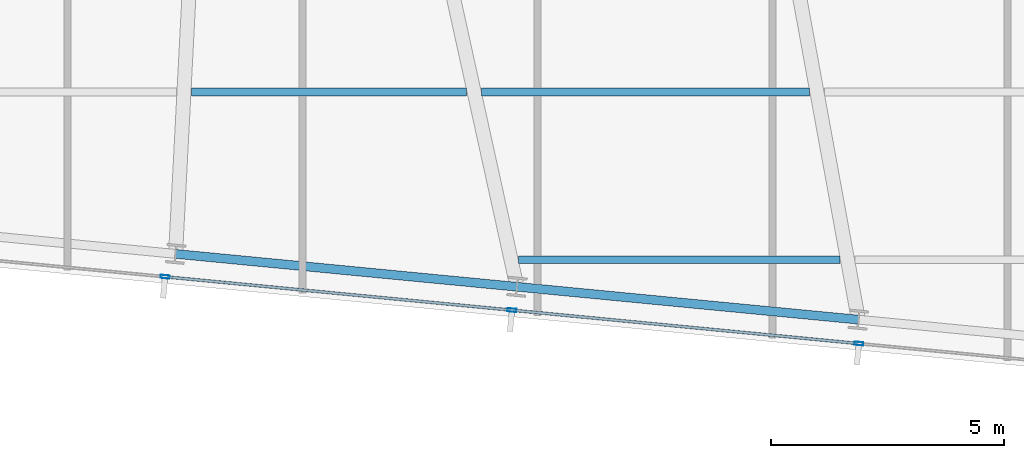
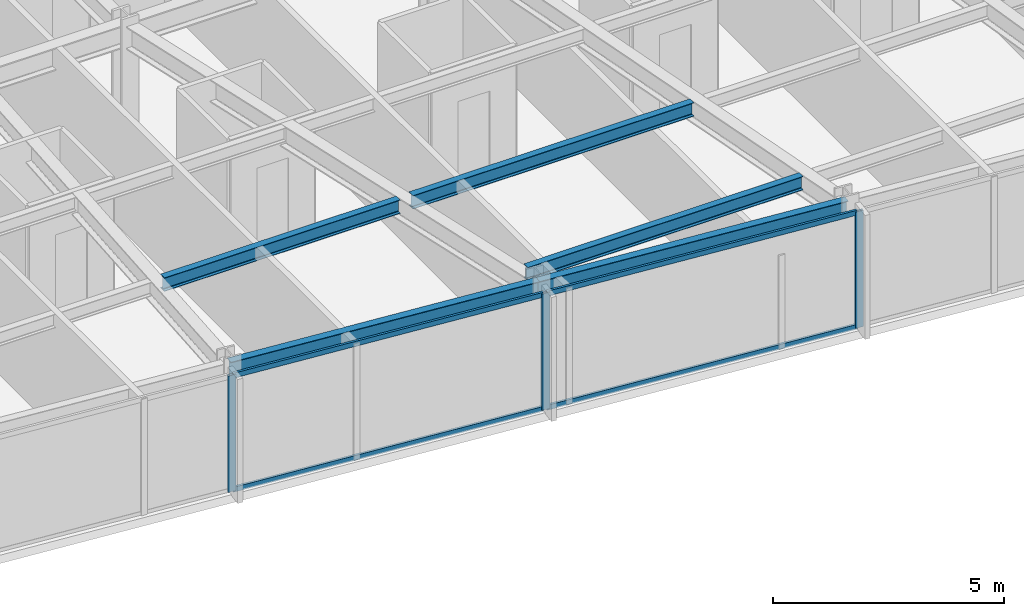
# One storey, part 6 of 37: 7 members, 5 beams, 1 element without a shape of its own.
"""IFC4 building model written with IfcOpenShell, lengths in metres."""

from ifc_helpers import new_model, si_unit, direction, frame, origin, origin_2d, place, context, subcontext, project, spatial, hollow_rectangle, i_section, extrude, material, material_profile, profile_set, type_object, element, aggregate, save


model = new_model("IFC4")

# Units and contexts
model_context = context("Model", 3, precision=1e-05, world=origin(), true_north=direction((0.0, 1.0)))
body_context = subcontext(model_context, "Body", "Model", "MODEL_VIEW")
ifc_project = project(units=[si_unit("LENGTHUNIT", "METRE"), si_unit("AREAUNIT", "SQUARE_METRE"), si_unit("VOLUMEUNIT", "CUBIC_METRE"), si_unit("PLANEANGLEUNIT", "RADIAN"), si_unit("MASSUNIT", "GRAM", prefix="KILO")], contexts=[model_context])

# Site, building, storey
site_placement = place(None, origin())
site = spatial("IfcSite", under=ifc_project, at=site_placement, CompositionType="ELEMENT")
building_placement = place(site_placement, origin())
building = spatial("IfcBuilding", under=site, at=building_placement, Name="Yelkora Congress Tower", CompositionType="ELEMENT")
storey_placement = place(building_placement, frame((0.0, 0.0, 182.0)))
storey = spatial("IfcBuildingStorey", under=building, at=storey_placement, Name="L50", CompositionType="ELEMENT", Elevation=182.0)

# Beams
ifc_material_1 = material(Name="Steel S355J2", Category="steel")
ifc_material_profile_1 = material_profile(ifc_material_1, i_section(OverallWidth=0.169921875, OverallDepth=0.360107421875, WebThickness=0.008056640625, FlangeThickness=0.0126953125, FilletRadius=0.01806640625, at=origin_2d()), Name="IPE 360")
ifc_profile_set_1 = profile_set([ifc_material_profile_1], Name="Steel S355J2")
beam_type_1 = type_object("IfcBeamType", Name="BM-JOIST-IPE360", PredefinedType="JOIST", material=ifc_profile_set_1)
beam_1_placement = place(storey_placement, frame((25.921630859375, 12.8212890625, 2.89990234375), z_axis=(1.0, 0.0, 0.0), x_axis=(0.0, 1.0, 0.0)))
element("IfcBeam", 1, at=beam_1_placement, inside=storey, type_object=beam_type_1, Name="L50 Composite Floor Joist 1", PredefinedType="JOIST", context=body_context, shape_type="SweptSolid", body=[
    extrude(i_section(OverallWidth=0.169921875, OverallDepth=0.360107421875, WebThickness=0.008056640625, FlangeThickness=0.0126953125, FilletRadius=0.01806640625, at=origin_2d()), origin(), (0.0, 0.0, 1.0), 6.896484375),
])
beam_2_placement = place(storey_placement, frame((18.905517578125, 16.421142578125, 2.89990234375), z_axis=(1.0, 0.0, 0.0), x_axis=(0.0, 1.0, 0.0)))
element("IfcBeam", 2, at=beam_2_placement, inside=storey, type_object=beam_type_1, Name="L50 Composite Floor Joist 7", PredefinedType="JOIST", context=body_context, shape_type="SweptSolid", body=[
    extrude(i_section(OverallWidth=0.169921875, OverallDepth=0.360107421875, WebThickness=0.008056640625, FlangeThickness=0.0126953125, FilletRadius=0.01806640625, at=origin_2d()), origin(), (0.0, 0.0, 1.0), 5.904541015625),
])
beam_3_placement = place(storey_placement, frame((25.130126953125, 16.421142578125, 2.89990234375), z_axis=(1.0, 0.0, 0.0), x_axis=(0.0, 1.0, 0.0)))
element("IfcBeam", 3, at=beam_3_placement, inside=storey, type_object=beam_type_1, Name="L50 Composite Floor Joist 8", PredefinedType="JOIST", context=body_context, shape_type="SweptSolid", body=[
    extrude(i_section(OverallWidth=0.169921875, OverallDepth=0.360107421875, WebThickness=0.008056640625, FlangeThickness=0.0126953125, FilletRadius=0.01806640625, at=origin_2d()), origin(), (0.0, 0.0, 1.0), 7.03125),
])
ifc_material_profile_2 = material_profile(ifc_material_1, i_section(OverallWidth=0.18994140625, OverallDepth=0.449951171875, WebThickness=0.009521484375, FlangeThickness=0.0146484375, FilletRadius=0.02099609375, at=origin_2d()), Name="IPE 450")
ifc_profile_set_2 = profile_set([ifc_material_profile_2], Name="Steel S355J2")
beam_type_2 = type_object("IfcBeamType", Name="BM-SPAN-IPE450", PredefinedType="SPANDREL", material=ifc_profile_set_2)
beam_4_placement = place(storey_placement, frame((18.56591796875, 12.947021484375, 2.85498046875), z_axis=(0.99539363353, -0.09587238564, 0.0), x_axis=(0.09587238564, 0.99539363353, 0.0)))
element("IfcBeam", 4, at=beam_4_placement, inside=storey, type_object=beam_type_2, Name="L50 Perimeter Beam 4", PredefinedType="SPANDREL", context=body_context, shape_type="SweptSolid", body=[
    extrude(i_section(OverallWidth=0.18994140625, OverallDepth=0.449951171875, WebThickness=0.009521484375, FlangeThickness=0.0146484375, FilletRadius=0.02099609375, at=origin_2d()), origin(), (0.0, 0.0, 1.0), 7.35693359375),
])
beam_5_placement = place(storey_placement, frame((25.888916015625, 12.24169921875, 2.85498046875), z_axis=(0.995397409467, -0.095833173935, 0.0), x_axis=(0.095833173935, 0.995397409467, 0.0)))
element("IfcBeam", 5, at=beam_5_placement, inside=storey, type_object=beam_type_2, Name="L50 Perimeter Beam 5", PredefinedType="SPANDREL", context=body_context, shape_type="SweptSolid", body=[
    extrude(i_section(OverallWidth=0.18994140625, OverallDepth=0.449951171875, WebThickness=0.009521484375, FlangeThickness=0.0146484375, FilletRadius=0.02099609375, at=origin_2d()), origin(), (0.0, 0.0, 1.0), 7.357421875),
])

# Curtain wall, members
ifc_material_2 = material(Name="Anodised aluminium and insulated glass", Category="aluminium")
curtain_wall_type = type_object("IfcCurtainWallType", Name="CW-SYS-B3", PredefinedType="NOTDEFINED", material=ifc_material_2)
curtain_wall_placement = place(storey_placement, origin())
curtain_wall = element("IfcCurtainWall", 6, at=curtain_wall_placement, inside=storey, type_object=curtain_wall_type, Name="L50 Unitised Curtain Wall 20", PredefinedType="NOTDEFINED")
ifc_material_3 = material(Name="Anodised aluminium 6063-T6", Category="aluminium")
ifc_material_profile_3 = material_profile(ifc_material_3, hollow_rectangle(XDim=0.070068359375, YDim=0.18994140625, WallThickness=0.00390625, at=origin_2d()), Name="ALU 70x190x4")
ifc_profile_set_3 = profile_set([ifc_material_profile_3], Name="Anodised aluminium 6063-T6")
member_type_1 = type_object("IfcMemberType", Name="MEM-ML-B3", PredefinedType="MULLION", material=ifc_profile_set_3)
member_1_placement = place(storey_placement, frame((33.2216796875, 11.0234375, 0.0), z_axis=(0.0, 0.0, 1.0), x_axis=(-0.095844680679, -0.995396301573, 0.0)))
member_1 = element("IfcMember", 7, at=member_1_placement, type_object=member_type_1, Name="CW-B3 mullion 4", PredefinedType="MULLION", context=body_context, shape_type="SweptSolid", body=[
    extrude(hollow_rectangle(XDim=0.070068359375, YDim=0.18994140625, WallThickness=0.00390625, at=origin_2d()), origin(), (0.0, 0.0, 1.0), 3.080078125),
])
member_2_placement = place(storey_placement, frame((25.78173828125, 11.73974609375, 0.0), z_axis=(0.0, 0.0, 1.0), x_axis=(-0.095844680679, -0.995396301573, 0.0)))
member_2 = element("IfcMember", 8, at=member_2_placement, type_object=member_type_1, Name="CW-B3 mullion 5", PredefinedType="MULLION", context=body_context, shape_type="SweptSolid", body=[
    extrude(hollow_rectangle(XDim=0.070068359375, YDim=0.18994140625, WallThickness=0.00390625, at=origin_2d()), origin(), (0.0, 0.0, 1.0), 3.080078125),
])
member_3_placement = place(storey_placement, frame((18.342041015625, 12.4560546875, 0.0), z_axis=(0.0, 0.0, 1.0), x_axis=(-0.095844680679, -0.995396301573, 0.0)))
member_3 = element("IfcMember", 9, at=member_3_placement, type_object=member_type_1, Name="CW-B3 mullion 6", PredefinedType="MULLION", context=body_context, shape_type="SweptSolid", body=[
    extrude(hollow_rectangle(XDim=0.070068359375, YDim=0.18994140625, WallThickness=0.00390625, at=origin_2d()), origin(), (0.0, 0.0, 1.0), 3.080078125),
])
ifc_material_profile_4 = material_profile(ifc_material_3, hollow_rectangle(XDim=0.06005859375, YDim=0.1298828125, WallThickness=0.00390625, at=origin_2d()), Name="ALU 60x130x4")
ifc_profile_set_4 = profile_set([ifc_material_profile_4], Name="Anodised aluminium 6063-T6")
member_type_2 = type_object("IfcMemberType", Name="MEM-TR-B3", PredefinedType="USERDEFINED", material=ifc_profile_set_4)
member_4_placement = place(storey_placement, frame((33.18701171875, 11.02685546875, 0.030029296875), z_axis=(-0.995398934959, 0.095817327669, 0.0), x_axis=(-0.095817327669, -0.995398934959, 0.0)))
member_4 = element("IfcMember", 10, at=member_4_placement, type_object=member_type_2, Name="CW-B3 transom 4.1", ObjectType="TRANSOM", PredefinedType="USERDEFINED", context=body_context, shape_type="SweptSolid", body=[
    extrude(hollow_rectangle(XDim=0.06005859375, YDim=0.1298828125, WallThickness=0.00390625, at=origin_2d()), origin(), (0.0, 0.0, 1.0), 7.404541015625),
])
member_5_placement = place(storey_placement, frame((33.18701171875, 11.02685546875, 3.050048828125), z_axis=(-0.995398934959, 0.095817327669, 0.0), x_axis=(-0.095817327669, -0.995398934959, 0.0)))
member_5 = element("IfcMember", 11, at=member_5_placement, type_object=member_type_2, Name="CW-B3 transom 4.2", ObjectType="TRANSOM", PredefinedType="USERDEFINED", context=body_context, shape_type="SweptSolid", body=[
    extrude(hollow_rectangle(XDim=0.06005859375, YDim=0.1298828125, WallThickness=0.00390625, at=origin_2d()), origin(), (0.0, 0.0, 1.0), 7.404541015625),
])
member_6_placement = place(storey_placement, frame((25.7470703125, 11.7431640625, 0.030029296875), z_axis=(-0.995395789658, 0.095849997036, 0.0), x_axis=(-0.095849997036, -0.995395789658, 0.0)))
member_6 = element("IfcMember", 12, at=member_6_placement, type_object=member_type_2, Name="CW-B3 transom 5.1", ObjectType="TRANSOM", PredefinedType="USERDEFINED", context=body_context, shape_type="SweptSolid", body=[
    extrude(hollow_rectangle(XDim=0.06005859375, YDim=0.1298828125, WallThickness=0.00390625, at=origin_2d()), origin(), (0.0, 0.0, 1.0), 7.404541015625),
])
member_7_placement = place(storey_placement, frame((25.7470703125, 11.7431640625, 3.050048828125), z_axis=(-0.995395789658, 0.095849997036, 0.0), x_axis=(-0.095849997036, -0.995395789658, 0.0)))
member_7 = element("IfcMember", 13, at=member_7_placement, type_object=member_type_2, Name="CW-B3 transom 5.2", ObjectType="TRANSOM", PredefinedType="USERDEFINED", context=body_context, shape_type="SweptSolid", body=[
    extrude(hollow_rectangle(XDim=0.06005859375, YDim=0.1298828125, WallThickness=0.00390625, at=origin_2d()), origin(), (0.0, 0.0, 1.0), 7.404541015625),
])
aggregate(curtain_wall, [member_1, member_2, member_3, member_4, member_5, member_6, member_7])

save(model, "model.ifc")
